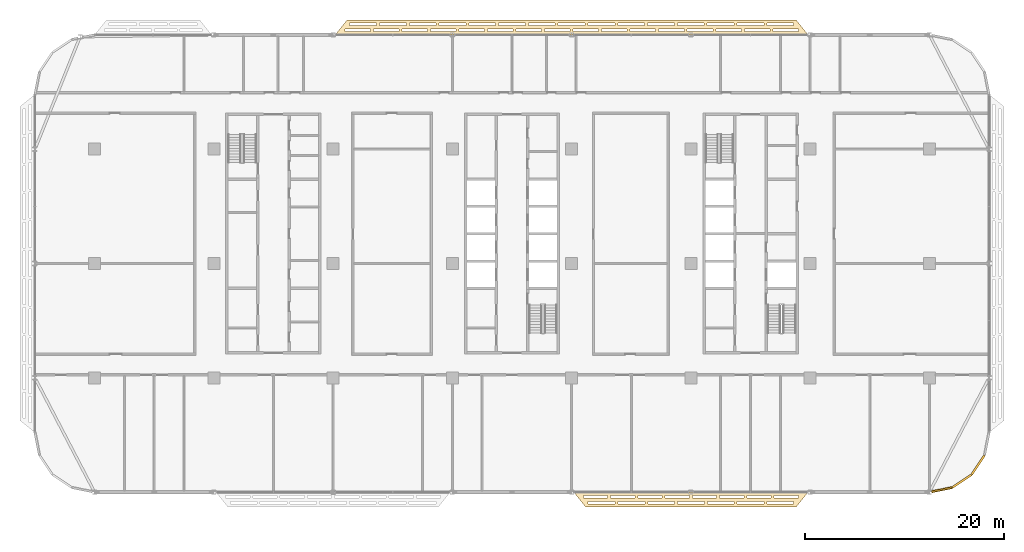
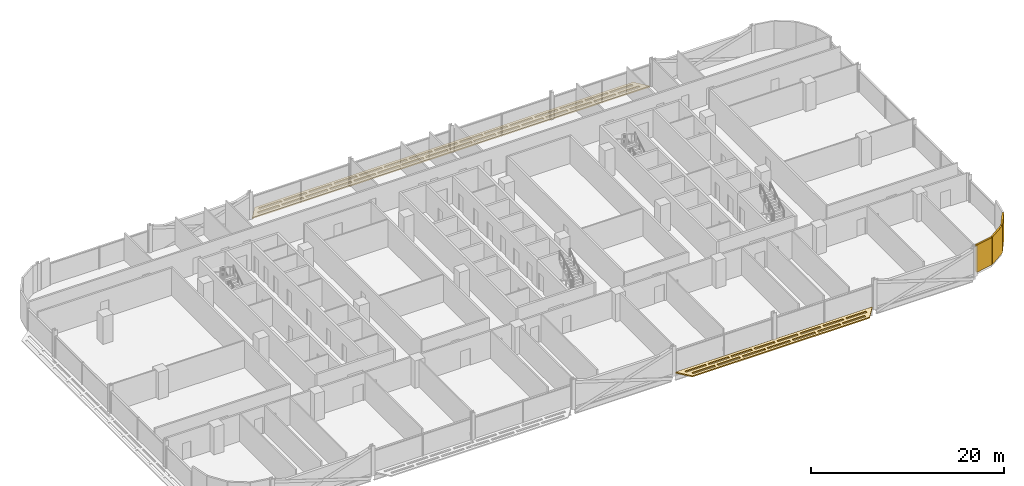
# One storey, part 25 of 27: 5 coverings.
"""IFC4 building model written with IfcOpenShell, lengths in metres."""

from ifc_helpers import new_model, si_unit, direction, frame, origin, origin_2d, place, context, subcontext, project, spatial, polyline, rectangle, outline, extrude, material, layer, layer_set, type_object, element, save


model = new_model("IFC4")

# Units and contexts
model_context = context("Model", 3, precision=1e-05, world=origin(), true_north=direction((0.0, 1.0)))
body_context = subcontext(model_context, "Body", "Model", "MODEL_VIEW")
ifc_project = project(units=[si_unit("LENGTHUNIT", "METRE"), si_unit("AREAUNIT", "SQUARE_METRE"), si_unit("VOLUMEUNIT", "CUBIC_METRE"), si_unit("PLANEANGLEUNIT", "RADIAN"), si_unit("MASSUNIT", "GRAM", prefix="KILO")], contexts=[model_context])

# Site, building, storey
site_placement = place(None, origin())
site = spatial("IfcSite", under=ifc_project, at=site_placement, CompositionType="ELEMENT")
building_placement = place(site_placement, origin())
building = spatial("IfcBuilding", under=site, at=building_placement, Name="Mahtab Terrace Research Tower", CompositionType="ELEMENT")
storey_placement = place(building_placement, frame((0.0, 0.0, 178.199951171875)))
storey = spatial("IfcBuildingStorey", under=building, at=storey_placement, Name="L42", CompositionType="ELEMENT", Elevation=178.199951171875)

# Coverings
ifc_material_1 = material(Name="Black aluminium cladding panel", Category="aluminium")
ifc_layer_1 = layer(ifc_material_1, 0.199951171875)
ifc_layer_set_1 = layer_set([ifc_layer_1], Name="Black metal corner cladding 200")
covering_type_1 = type_object("IfcCoveringType", Name="Black metal corner cladding 200", PredefinedType="CLADDING", material=ifc_layer_set_1)
covering_1_placement = place(storey_placement, frame((43.25830078125, -22.74951171875, 0.0), z_axis=(0.0, 0.0, 1.0), x_axis=(0.980760981187, 0.195212442692, 0.0)))
element("IfcCovering", 1, at=covering_1_placement, inside=storey, type_object=covering_type_1, Name="Corner cladding L42 30", PredefinedType="CLADDING", context=body_context, shape_type="SweptSolid", body=[
    extrude(rectangle(XDim=2.07666015625, YDim=0.199951171875, at=origin_2d()), origin(), (0.0, 0.0, 1.0), 3.4599609375),
])
for number, where, z_axis, x_axis, name in (
    (2, (45.26953125, -21.89306640625, 0.0), (0.0, 0.0, 1.0), (0.831655794326, 0.555291490808, 0.0), "Corner cladding L42 31"),
    (3, (46.89306640625, -20.26953125, 0.0), (0.0, 0.0, 1.0), (0.555291490808, 0.831655794326, 0.0), "Corner cladding L42 32"),
):
    element("IfcCovering", number, at=place(storey_placement, frame(where, z_axis=z_axis, x_axis=x_axis)), inside=storey, type_object=covering_type_1, Name=name, PredefinedType="CLADDING", context=body_context, shape_type="SweptSolid", body=[
        extrude(rectangle(XDim=2.30126953125, YDim=0.199951171875, at=origin_2d()), origin(), (0.0, 0.0, 1.0), 3.4599609375),
    ])
ifc_material_2 = material(Name="Black anodised aluminium", Category="aluminium")
ifc_layer_2 = layer(ifc_material_2, 0.14990234375)
ifc_layer_set_2 = layer_set([ifc_layer_2], Name="Horizontal sunshade band")
covering_type_2 = type_object("IfcCoveringType", Name="Horizontal sunshade band", PredefinedType="CLADDING", material=ifc_layer_set_2)
covering_2_placement = place(storey_placement, frame((0.0, 0.0, -0.14990234375)))
element("IfcCovering", 4, at=covering_2_placement, inside=storey, type_object=covering_type_2, Name="Sunshade band L42 4", PredefinedType="CLADDING", context=body_context, shape_type="SweptSolid", body=[
    extrude(outline(polyline([(29.7919921875, 23.0), (-17.7919921875, 23.0), (-16.592041015625, 24.5), (28.592041015625, 24.5), (29.7919921875, 23.0)]), holes=[polyline([(28.81201171875, 23.35009765625), (26.241943359375, 23.35009765625), (26.241943359375, 23.60009765625), (28.81201171875, 23.60009765625), (28.81201171875, 23.35009765625)]), polyline([(25.94189453125, 23.35009765625), (23.37109375, 23.35009765625), (23.37109375, 23.60009765625), (25.94189453125, 23.60009765625), (25.94189453125, 23.35009765625)]), polyline([(23.072021484375, 23.35009765625), (20.5009765625, 23.35009765625), (20.5009765625, 23.60009765625), (23.072021484375, 23.60009765625), (23.072021484375, 23.35009765625)]), polyline([(20.200927734375, 23.35009765625), (17.631103515625, 23.35009765625), (17.631103515625, 23.60009765625), (20.200927734375, 23.60009765625), (20.200927734375, 23.35009765625)]), polyline([(17.3310546875, 23.35009765625), (14.760986328125, 23.35009765625), (14.760986328125, 23.60009765625), (17.3310546875, 23.60009765625), (17.3310546875, 23.35009765625)]), polyline([(14.4609375, 23.35009765625), (11.889892578125, 23.35009765625), (11.889892578125, 23.60009765625), (14.4609375, 23.60009765625), (14.4609375, 23.35009765625)]), polyline([(11.590087890625, 23.35009765625), (9.02001953125, 23.35009765625), (9.02001953125, 23.60009765625), (11.590087890625, 23.60009765625), (11.590087890625, 23.35009765625)]), polyline([(8.719970703125, 23.35009765625), (6.14990234375, 23.35009765625), (6.14990234375, 23.60009765625), (8.719970703125, 23.60009765625), (8.719970703125, 23.35009765625)]), polyline([(5.85009765625, 23.35009765625), (3.280029296875, 23.35009765625), (3.280029296875, 23.60009765625), (5.85009765625, 23.60009765625), (5.85009765625, 23.35009765625)]), polyline([(2.97998046875, 23.35009765625), (0.408935546875, 23.35009765625), (0.408935546875, 23.60009765625), (2.97998046875, 23.60009765625), (2.97998046875, 23.35009765625)]), polyline([(0.10888671875, 23.35009765625), (-2.4609375, 23.35009765625), (-2.4609375, 23.60009765625), (0.10888671875, 23.60009765625), (0.10888671875, 23.35009765625)]), polyline([(-2.760986328125, 23.35009765625), (-5.3310546875, 23.35009765625), (-5.3310546875, 23.60009765625), (-2.760986328125, 23.60009765625), (-2.760986328125, 23.35009765625)]), polyline([(-5.631103515625, 23.35009765625), (-8.200927734375, 23.35009765625), (-8.200927734375, 23.60009765625), (-5.631103515625, 23.60009765625), (-5.631103515625, 23.35009765625)]), polyline([(-8.5009765625, 23.35009765625), (-11.072021484375, 23.35009765625), (-11.072021484375, 23.60009765625), (-8.5009765625, 23.60009765625), (-8.5009765625, 23.35009765625)]), polyline([(-11.3720703125, 23.35009765625), (-13.94189453125, 23.35009765625), (-13.94189453125, 23.60009765625), (-11.3720703125, 23.60009765625), (-11.3720703125, 23.35009765625)]), polyline([(-14.241943359375, 23.35009765625), (-16.81201171875, 23.35009765625), (-16.81201171875, 23.60009765625), (-14.241943359375, 23.60009765625), (-14.241943359375, 23.35009765625)]), polyline([(28.33203125, 23.949951171875), (25.634033203125, 23.949951171875), (25.634033203125, 24.199951171875), (28.33203125, 24.199951171875), (28.33203125, 23.949951171875)]), polyline([(25.333984375, 23.949951171875), (22.636962890625, 23.949951171875), (22.636962890625, 24.199951171875), (25.333984375, 24.199951171875), (25.333984375, 23.949951171875)]), polyline([(22.3369140625, 23.949951171875), (19.638916015625, 23.949951171875), (19.638916015625, 24.199951171875), (22.3369140625, 24.199951171875), (22.3369140625, 23.949951171875)]), polyline([(19.339111328125, 23.949951171875), (16.64208984375, 23.949951171875), (16.64208984375, 24.199951171875), (19.339111328125, 24.199951171875), (19.339111328125, 23.949951171875)]), polyline([(16.342041015625, 23.949951171875), (13.64404296875, 23.949951171875), (13.64404296875, 24.199951171875), (16.342041015625, 24.199951171875), (16.342041015625, 23.949951171875)]), polyline([(13.343994140625, 23.949951171875), (10.64599609375, 23.949951171875), (10.64599609375, 24.199951171875), (13.343994140625, 24.199951171875), (13.343994140625, 23.949951171875)]), polyline([(10.345947265625, 23.949951171875), (7.64892578125, 23.949951171875), (7.64892578125, 24.199951171875), (10.345947265625, 24.199951171875), (10.345947265625, 23.949951171875)]), polyline([(7.34912109375, 23.949951171875), (4.65087890625, 23.949951171875), (4.65087890625, 24.199951171875), (7.34912109375, 24.199951171875), (7.34912109375, 23.949951171875)]), polyline([(4.35107421875, 23.949951171875), (1.654052734375, 23.949951171875), (1.654052734375, 24.199951171875), (4.35107421875, 24.199951171875), (4.35107421875, 23.949951171875)]), polyline([(1.35400390625, 23.949951171875), (-1.343994140625, 23.949951171875), (-1.343994140625, 24.199951171875), (1.35400390625, 24.199951171875), (1.35400390625, 23.949951171875)]), polyline([(-1.64404296875, 23.949951171875), (-4.342041015625, 23.949951171875), (-4.342041015625, 24.199951171875), (-1.64404296875, 24.199951171875), (-1.64404296875, 23.949951171875)]), polyline([(-4.64208984375, 23.949951171875), (-7.339111328125, 23.949951171875), (-7.339111328125, 24.199951171875), (-4.64208984375, 24.199951171875), (-4.64208984375, 23.949951171875)]), polyline([(-7.638916015625, 23.949951171875), (-10.3369140625, 23.949951171875), (-10.3369140625, 24.199951171875), (-7.638916015625, 24.199951171875), (-7.638916015625, 23.949951171875)]), polyline([(-10.636962890625, 23.949951171875), (-13.333984375, 23.949951171875), (-13.333984375, 24.199951171875), (-10.636962890625, 24.199951171875), (-10.636962890625, 23.949951171875)]), polyline([(-13.634033203125, 23.949951171875), (-16.33203125, 23.949951171875), (-16.33203125, 24.199951171875), (-13.634033203125, 24.199951171875), (-13.634033203125, 23.949951171875)])]), origin(), (0.0, 0.0, 1.0), 0.14990234375),
])
covering_3_placement = place(storey_placement, frame((0.0, 0.0, -0.14990234375)))
element("IfcCovering", 5, at=covering_3_placement, inside=storey, type_object=covering_type_2, Name="Sunshade band L42 27", PredefinedType="CLADDING", context=body_context, shape_type="SweptSolid", body=[
    extrude(outline(polyline([(6.2080078125, -23.0), (29.7919921875, -23.0), (28.592041015625, -24.5), (7.407958984375, -24.5), (6.2080078125, -23.0)]), holes=[polyline([(7.18798828125, -23.35009765625), (9.6279296875, -23.35009765625), (9.6279296875, -23.60009765625), (7.18798828125, -23.60009765625), (7.18798828125, -23.35009765625)]), polyline([(9.927978515625, -23.35009765625), (12.368896484375, -23.35009765625), (12.368896484375, -23.60009765625), (9.927978515625, -23.60009765625), (9.927978515625, -23.35009765625)]), polyline([(12.6689453125, -23.35009765625), (15.10888671875, -23.35009765625), (15.10888671875, -23.60009765625), (12.6689453125, -23.60009765625), (12.6689453125, -23.35009765625)]), polyline([(15.408935546875, -23.35009765625), (17.85009765625, -23.35009765625), (17.85009765625, -23.60009765625), (15.408935546875, -23.60009765625), (15.408935546875, -23.35009765625)]), polyline([(18.14990234375, -23.35009765625), (20.590087890625, -23.35009765625), (20.590087890625, -23.60009765625), (18.14990234375, -23.60009765625), (18.14990234375, -23.35009765625)]), polyline([(20.889892578125, -23.35009765625), (23.3310546875, -23.35009765625), (23.3310546875, -23.60009765625), (20.889892578125, -23.60009765625), (20.889892578125, -23.35009765625)]), polyline([(23.631103515625, -23.35009765625), (26.072021484375, -23.35009765625), (26.072021484375, -23.60009765625), (23.631103515625, -23.60009765625), (23.631103515625, -23.35009765625)]), polyline([(26.37109375, -23.35009765625), (28.81201171875, -23.35009765625), (28.81201171875, -23.60009765625), (26.37109375, -23.60009765625), (26.37109375, -23.35009765625)]), polyline([(7.66796875, -23.949951171875), (10.363037109375, -23.949951171875), (10.363037109375, -24.199951171875), (7.66796875, -24.199951171875), (7.66796875, -23.949951171875)]), polyline([(10.6630859375, -23.949951171875), (13.35791015625, -23.949951171875), (13.35791015625, -24.199951171875), (10.6630859375, -24.199951171875), (10.6630859375, -23.949951171875)]), polyline([(13.657958984375, -23.949951171875), (16.35302734375, -23.949951171875), (16.35302734375, -24.199951171875), (13.657958984375, -24.199951171875), (13.657958984375, -23.949951171875)]), polyline([(16.653076171875, -23.949951171875), (19.346923828125, -23.949951171875), (19.346923828125, -24.199951171875), (16.653076171875, -24.199951171875), (16.653076171875, -23.949951171875)]), polyline([(19.64697265625, -23.949951171875), (22.342041015625, -23.949951171875), (22.342041015625, -24.199951171875), (19.64697265625, -24.199951171875), (19.64697265625, -23.949951171875)]), polyline([(22.64208984375, -23.949951171875), (25.3369140625, -23.949951171875), (25.3369140625, -24.199951171875), (22.64208984375, -24.199951171875), (22.64208984375, -23.949951171875)]), polyline([(25.636962890625, -23.949951171875), (28.33203125, -23.949951171875), (28.33203125, -24.199951171875), (25.636962890625, -24.199951171875), (25.636962890625, -23.949951171875)])]), origin(), (0.0, 0.0, 1.0), 0.14990234375),
])

save(model, "model.ifc")
